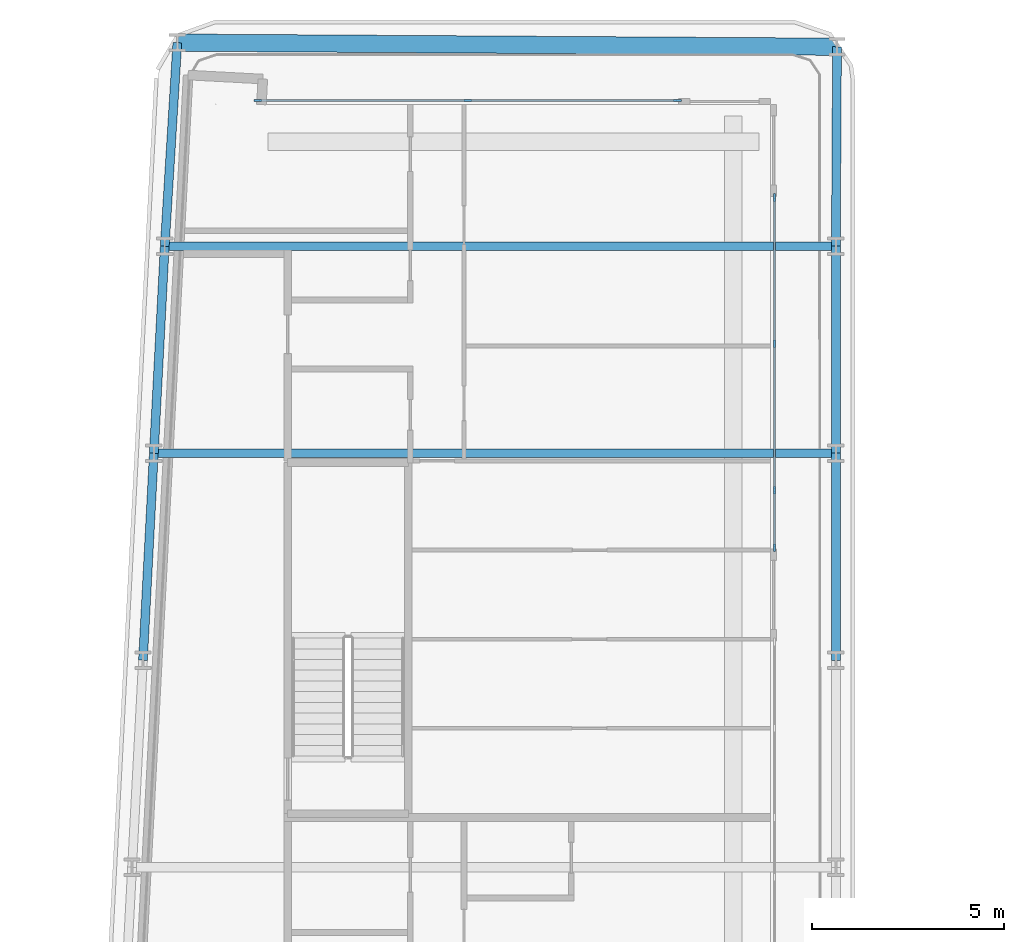
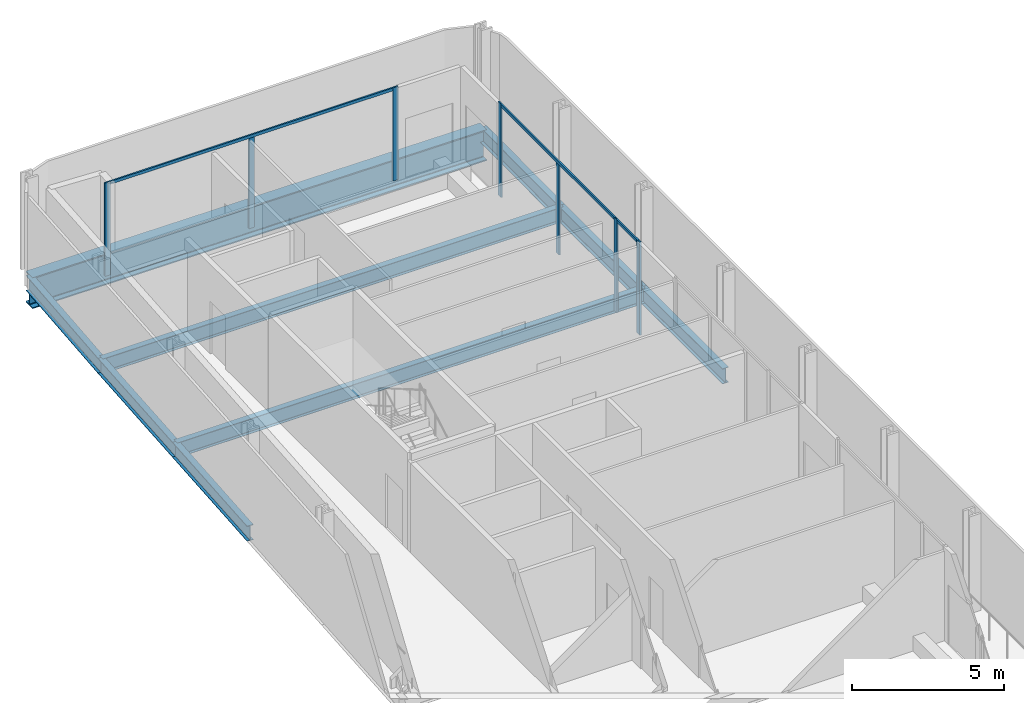
# One storey, part 9 of 28: 10 members, 9 beams, 3 elements without a shape of their own.
"""IFC4 building model written with IfcOpenShell, lengths in metres."""

from ifc_helpers import new_model, si_unit, direction, frame, origin, origin_2d, place, context, subcontext, project, spatial, rectangle, i_section, extrude, material, layer, layer_set, material_profile, profile_set, type_object, element, aggregate, save


model = new_model("IFC4")

# Units and contexts
model_context = context("Model", 3, precision=1e-05, world=origin(), true_north=direction((0.0, 1.0)))
body_context = subcontext(model_context, "Body", "Model", "MODEL_VIEW")
ifc_project = project(units=[si_unit("LENGTHUNIT", "METRE"), si_unit("AREAUNIT", "SQUARE_METRE"), si_unit("VOLUMEUNIT", "CUBIC_METRE"), si_unit("PLANEANGLEUNIT", "RADIAN"), si_unit("MASSUNIT", "GRAM", prefix="KILO")], contexts=[model_context])

# Site, building, storey
site_placement = place(None, origin())
site = spatial("IfcSite", under=ifc_project, at=site_placement, CompositionType="ELEMENT")
building_placement = place(site_placement, origin())
building = spatial("IfcBuilding", under=site, at=building_placement, Name="Kheshtan School and Residences Tower", CompositionType="ELEMENT")
storey_placement = place(building_placement, frame((0.0, 0.0, 73.39990234375)))
storey = spatial("IfcBuildingStorey", under=building, at=storey_placement, Name="L17", CompositionType="ELEMENT", Elevation=73.39990234375)

# Beams
ifc_material_1 = material(Name="Steel ASTM A992 Grade 50", Category="steel")
ifc_material_profile_1 = material_profile(ifc_material_1, i_section(OverallWidth=0.22802734375, OverallDepth=0.60302734375, WebThickness=0.010498046875, FlangeThickness=0.014892578125, FilletRadius=0.013427734375, at=origin_2d()), Name="W610x101")
ifc_profile_set_1 = profile_set([ifc_material_profile_1], Name="Steel ASTM A992 Grade 50")
beam_type_1 = type_object("IfcBeamType", Name="Beam FB5 W610x101 ASTM A992 Grade 50", PredefinedType="BEAM", material=ifc_profile_set_1)
beam_1_placement = place(storey_placement, frame((47.60009765625, 94.199951171875, -0.451416015625), z_axis=(-1.0, 0.0, 0.0), x_axis=(0.0, -1.0, 0.0)))
element("IfcBeam", 1, at=beam_1_placement, inside=storey, type_object=beam_type_1, Name="Floor beam C107", PredefinedType="BEAM", context=body_context, shape_type="SweptSolid", body=[
    extrude(i_section(OverallWidth=0.22802734375, OverallDepth=0.60302734375, WebThickness=0.010498046875, FlangeThickness=0.014892578125, FilletRadius=0.013427734375, at=origin_2d()), origin(), (0.0, 0.0, 1.0), 17.505126953125),
])
beam_2_placement = place(storey_placement, frame((29.81103515625, 88.800048828125, -0.451416015625), z_axis=(1.0, 0.0, 0.0), x_axis=(0.0, 1.0, 0.0)))
element("IfcBeam", 2, at=beam_2_placement, inside=storey, type_object=beam_type_1, Name="Floor beam C098", PredefinedType="BEAM", context=body_context, shape_type="SweptSolid", body=[
    extrude(i_section(OverallWidth=0.22802734375, OverallDepth=0.60302734375, WebThickness=0.010498046875, FlangeThickness=0.014892578125, FilletRadius=0.013427734375, at=origin_2d()), origin(), (0.0, 0.0, 1.0), 17.7890625),
])
ifc_material_profile_2 = material_profile(ifc_material_1, i_section(OverallWidth=0.22998046875, OverallDepth=0.616943359375, WebThickness=0.01318359375, FlangeThickness=0.022216796875, FilletRadius=0.0185546875, at=origin_2d()), Name="W610x140")
ifc_profile_set_2 = profile_set([ifc_material_profile_2], Name="Steel ASTM A992 Grade 50")
beam_type_2 = type_object("IfcBeamType", Name="Beam SP1 W610x140 ASTM A992 Grade 50", PredefinedType="BEAM", material=ifc_profile_set_2)
beam_3_placement = place(storey_placement, frame((47.6298828125, 99.402099609375, -0.45849609375), z_axis=(-0.005725455245, -0.999983609447, 0.0), x_axis=(0.999983609447, -0.005725455245, 0.0)))
element("IfcBeam", 3, at=beam_3_placement, inside=storey, type_object=beam_type_2, Name="Spandrel beam C113-C107", PredefinedType="BEAM", context=body_context, shape_type="SweptSolid", body=[
    extrude(i_section(OverallWidth=0.22998046875, OverallDepth=0.616943359375, WebThickness=0.01318359375, FlangeThickness=0.022216796875, FilletRadius=0.0185546875, at=origin_2d()), origin(), (0.0, 0.0, 1.0), 5.2021484375),
])
beam_4_placement = place(storey_placement, frame((47.60009765625, 94.199951171875, -0.45849609375), z_axis=(0.0, -1.0, 0.0), x_axis=(1.0, 0.0, 0.0)))
element("IfcBeam", 4, at=beam_4_placement, inside=storey, type_object=beam_type_2, Name="Spandrel beam C107-C099", PredefinedType="BEAM", context=body_context, shape_type="SweptSolid", body=[
    extrude(i_section(OverallWidth=0.22998046875, OverallDepth=0.616943359375, WebThickness=0.01318359375, FlangeThickness=0.022216796875, FilletRadius=0.0185546875, at=origin_2d()), origin(), (0.0, 0.0, 1.0), 5.39990234375),
])
beam_5_placement = place(storey_placement, frame((47.60009765625, 88.800048828125, -0.45849609375), z_axis=(0.0, -1.0, 0.0), x_axis=(1.0, 0.0, 0.0)))
element("IfcBeam", 5, at=beam_5_placement, inside=storey, type_object=beam_type_2, Name="Spandrel beam C099-C091", PredefinedType="BEAM", context=body_context, shape_type="SweptSolid", body=[
    extrude(i_section(OverallWidth=0.22998046875, OverallDepth=0.616943359375, WebThickness=0.01318359375, FlangeThickness=0.022216796875, FilletRadius=0.0185546875, at=origin_2d()), origin(), (0.0, 0.0, 1.0), 5.400146484375),
])
beam_6_placement = place(storey_placement, frame((29.527099609375, 83.39990234375, -0.45849609375), z_axis=(0.05250670125, 0.998620571751, 0.0), x_axis=(-0.998620571751, 0.05250670125, 0.0)))
element("IfcBeam", 6, at=beam_6_placement, inside=storey, type_object=beam_type_2, Name="Spandrel beam C090-C098", PredefinedType="BEAM", context=body_context, shape_type="SweptSolid", body=[
    extrude(i_section(OverallWidth=0.22998046875, OverallDepth=0.616943359375, WebThickness=0.01318359375, FlangeThickness=0.022216796875, FilletRadius=0.0185546875, at=origin_2d()), origin(), (0.0, 0.0, 1.0), 5.40771484375),
])
beam_7_placement = place(storey_placement, frame((29.81103515625, 88.800048828125, -0.45849609375), z_axis=(0.05250906864, 0.998620447272, 0.0), x_axis=(-0.998620447272, 0.05250906864, 0.0)))
element("IfcBeam", 7, at=beam_7_placement, inside=storey, type_object=beam_type_2, Name="Spandrel beam C098-C106", PredefinedType="BEAM", context=body_context, shape_type="SweptSolid", body=[
    extrude(i_section(OverallWidth=0.22998046875, OverallDepth=0.616943359375, WebThickness=0.01318359375, FlangeThickness=0.022216796875, FilletRadius=0.0185546875, at=origin_2d()), origin(), (0.0, 0.0, 1.0), 5.407470703125),
])
beam_8_placement = place(storey_placement, frame((30.094970703125, 94.199951171875, -0.45849609375), z_axis=(0.061858321816, 0.998084940284, 0.0), x_axis=(-0.998084940284, 0.061858321816, 0.0)))
element("IfcBeam", 8, at=beam_8_placement, inside=storey, type_object=beam_type_2, Name="Spandrel beam C106-C121", PredefinedType="BEAM", context=body_context, shape_type="SweptSolid", body=[
    extrude(i_section(OverallWidth=0.22998046875, OverallDepth=0.616943359375, WebThickness=0.01318359375, FlangeThickness=0.022216796875, FilletRadius=0.0185546875, at=origin_2d()), origin(), (0.0, 0.0, 1.0), 5.3203125),
])

# Curtain wall, members
ifc_material_2 = material(Name="Clear low-e glass in thermally broken aluminium frame", Category="aluminium")
ifc_layer = layer(ifc_material_2, 0.199951171875)
ifc_layer_set = layer_set([ifc_layer], Name="Curtain wall CW-L")
curtain_wall_type = type_object("IfcCurtainWallType", Name="Curtain wall CW-L", PredefinedType="NOTDEFINED", material=ifc_layer_set)
curtain_wall_1_placement = place(storey_placement, origin())
curtain_wall_1 = element("IfcCurtainWall", 9, at=curtain_wall_1_placement, inside=storey, type_object=curtain_wall_type, Name="Curtain wall CWL7", PredefinedType="NOTDEFINED")
ifc_material_3 = material(Name="Thermally broken aluminium, dark bronze anodised", Category="aluminium")
ifc_material_profile_3 = material_profile(ifc_material_3, rectangle(XDim=0.06005859375, YDim=0.199951171875, at=origin_2d()), Name="CW-L mullion 60x200")
ifc_profile_set_3 = profile_set([ifc_material_profile_3], Name="Thermally broken aluminium, dark bronze anodised")
member_type_1 = type_object("IfcMemberType", Name="CW-L mullion 60x200", PredefinedType="MULLION", material=ifc_profile_set_3)
member_1_placement = place(storey_placement, frame((32.52197265625, 98.0, 0.0), z_axis=(0.0, 0.0, 1.0), x_axis=(0.0, 1.0, 0.0)))
member_1 = element("IfcMember", 10, at=member_1_placement, type_object=member_type_1, Name="CWL7 mullion 1", PredefinedType="MULLION", context=body_context, shape_type="SweptSolid", body=[
    extrude(rectangle(XDim=0.06005859375, YDim=0.199951171875, at=origin_2d()), origin(), (0.0, 0.0, 1.0), 3.75),
])
member_2_placement = place(storey_placement, frame((37.99609375, 98.0, 0.0), z_axis=(0.0, 0.0, 1.0), x_axis=(0.0, 1.0, 0.0)))
member_2 = element("IfcMember", 11, at=member_2_placement, type_object=member_type_1, Name="CWL7 mullion 2", PredefinedType="MULLION", context=body_context, shape_type="SweptSolid", body=[
    extrude(rectangle(XDim=0.06005859375, YDim=0.199951171875, at=origin_2d()), origin(), (0.0, 0.0, 1.0), 3.630126953125),
])
member_3_placement = place(storey_placement, frame((43.469970703125, 98.0, 0.0), z_axis=(0.0, 0.0, 1.0), x_axis=(0.0, 1.0, 0.0)))
member_3 = element("IfcMember", 12, at=member_3_placement, type_object=member_type_1, Name="CWL7 mullion 3", PredefinedType="MULLION", context=body_context, shape_type="SweptSolid", body=[
    extrude(rectangle(XDim=0.06005859375, YDim=0.199951171875, at=origin_2d()), origin(), (0.0, 0.0, 1.0), 3.75),
])

curtain_wall_2_placement = place(storey_placement, origin())
curtain_wall_2 = element("IfcCurtainWall", 13, at=curtain_wall_2_placement, inside=storey, type_object=curtain_wall_type, Name="Curtain wall CWL8", PredefinedType="NOTDEFINED")
member_4_placement = place(storey_placement, frame((46.0, 95.469970703125, 0.0), z_axis=(0.0, 0.0, 1.0), x_axis=(1.0, 0.0, 0.0)))
member_4 = element("IfcMember", 14, at=member_4_placement, type_object=member_type_1, Name="CWL8 mullion 1", PredefinedType="MULLION", context=body_context, shape_type="SweptSolid", body=[
    extrude(rectangle(XDim=0.06005859375, YDim=0.199951171875, at=origin_2d()), origin(), (0.0, 0.0, 1.0), 3.75),
])
member_5_placement = place(storey_placement, frame((46.0, 91.653076171875, 0.0), z_axis=(0.0, 0.0, 1.0), x_axis=(1.0, 0.0, 0.0)))
member_5 = element("IfcMember", 15, at=member_5_placement, type_object=member_type_1, Name="CWL8 mullion 2", PredefinedType="MULLION", context=body_context, shape_type="SweptSolid", body=[
    extrude(rectangle(XDim=0.06005859375, YDim=0.199951171875, at=origin_2d()), origin(), (0.0, 0.0, 1.0), 3.630126953125),
])
member_6_placement = place(storey_placement, frame((46.0, 87.8359375, 0.0), z_axis=(0.0, 0.0, 1.0), x_axis=(1.0, 0.0, 0.0)))
member_6 = element("IfcMember", 16, at=member_6_placement, type_object=member_type_1, Name="CWL8 mullion 3", PredefinedType="MULLION", context=body_context, shape_type="SweptSolid", body=[
    extrude(rectangle(XDim=0.06005859375, YDim=0.199951171875, at=origin_2d()), origin(), (0.0, 0.0, 1.0), 3.75),
])

# Curtain wall, member
curtain_wall_3_placement = place(storey_placement, origin())
curtain_wall_3 = element("IfcCurtainWall", 17, at=curtain_wall_3_placement, inside=storey, type_object=curtain_wall_type, Name="Curtain wall CWL8a", PredefinedType="NOTDEFINED")
member_7_placement = place(storey_placement, frame((46.0, 86.3359375, 0.0), z_axis=(0.0, 0.0, 1.0), x_axis=(1.0, 0.0, 0.0)))
member_7 = element("IfcMember", 18, at=member_7_placement, type_object=member_type_1, Name="CWL8a mullion 2", PredefinedType="MULLION", context=body_context, shape_type="SweptSolid", body=[
    extrude(rectangle(XDim=0.06005859375, YDim=0.199951171875, at=origin_2d()), origin(), (0.0, 0.0, 1.0), 3.75),
])

# Member
ifc_material_profile_4 = material_profile(ifc_material_3, rectangle(XDim=0.06005859375, YDim=0.1201171875, at=origin_2d()), Name="CW-L transom 60x120")
ifc_profile_set_4 = profile_set([ifc_material_profile_4], Name="Thermally broken aluminium, dark bronze anodised")
member_type_2 = type_object("IfcMemberType", Name="CW-L transom 60x120", PredefinedType="USERDEFINED", material=ifc_profile_set_4)
member_8_placement = place(storey_placement, frame((32.552001953125, 98.0, 3.690185546875), z_axis=(1.0, 0.0, 0.0), x_axis=(0.0, 1.0, 0.0)))
member_8 = element("IfcMember", 19, at=member_8_placement, type_object=member_type_2, Name="CWL7 transom 1", ObjectType="TRANSOM", PredefinedType="USERDEFINED", context=body_context, shape_type="SweptSolid", body=[
    extrude(rectangle(XDim=0.06005859375, YDim=0.1201171875, at=origin_2d()), origin(), (0.0, 0.0, 1.0), 10.887939453125),
])

aggregate(curtain_wall_1, [member_1, member_2, member_3, member_8])

member_9_placement = place(storey_placement, frame((46.0, 95.43994140625, 3.690185546875), z_axis=(0.0, -1.0, 0.0), x_axis=(1.0, 0.0, 0.0)))
member_9 = element("IfcMember", 20, at=member_9_placement, type_object=member_type_2, Name="CWL8 transom 1", ObjectType="TRANSOM", PredefinedType="USERDEFINED", context=body_context, shape_type="SweptSolid", body=[
    extrude(rectangle(XDim=0.06005859375, YDim=0.1201171875, at=origin_2d()), origin(), (0.0, 0.0, 1.0), 7.573974609375),
])

aggregate(curtain_wall_2, [member_4, member_5, member_6, member_9])

member_10_placement = place(storey_placement, frame((46.0, 87.805908203125, 3.690185546875), z_axis=(0.0, -1.0, 0.0), x_axis=(1.0, 0.0, 0.0)))
member_10 = element("IfcMember", 21, at=member_10_placement, type_object=member_type_2, Name="CWL8a transom 1", ObjectType="TRANSOM", PredefinedType="USERDEFINED", context=body_context, shape_type="SweptSolid", body=[
    extrude(rectangle(XDim=0.06005859375, YDim=0.1201171875, at=origin_2d()), origin(), (0.0, 0.0, 1.0), 1.43994140625),
])

aggregate(curtain_wall_3, [member_7, member_10])

# Beam
ifc_material_profile_5 = material_profile(ifc_material_1, i_section(OverallWidth=0.449951171875, OverallDepth=1.25, WebThickness=0.02490234375, FlangeThickness=0.044921875, FilletRadius=0.03759765625, at=origin_2d()), Name="WWF1250x546")
ifc_profile_set_5 = profile_set([ifc_material_profile_5], Name="Steel ASTM A992 Grade 50")
beam_type_3 = type_object("IfcBeamType", Name="Transfer girder TG4 WWF1250x546 ASTM A992 Grade 50", PredefinedType="BEAM", material=ifc_profile_set_5)
beam_9_placement = place(storey_placement, frame((30.424072265625, 99.510009765625, -0.77490234375), z_axis=(0.999980333297, -0.006271604219, 0.0), x_axis=(0.006271604219, 0.999980333297, 0.0)))
element("IfcBeam", 22, at=beam_9_placement, inside=storey, type_object=beam_type_3, Name="Transfer girder C121-C113", PredefinedType="BEAM", context=body_context, shape_type="SweptSolid", body=[
    extrude(i_section(OverallWidth=0.449951171875, OverallDepth=1.25, WebThickness=0.02490234375, FlangeThickness=0.044921875, FilletRadius=0.03759765625, at=origin_2d()), origin(), (0.0, 0.0, 1.0), 17.2060546875),
])

save(model, "model.ifc")
